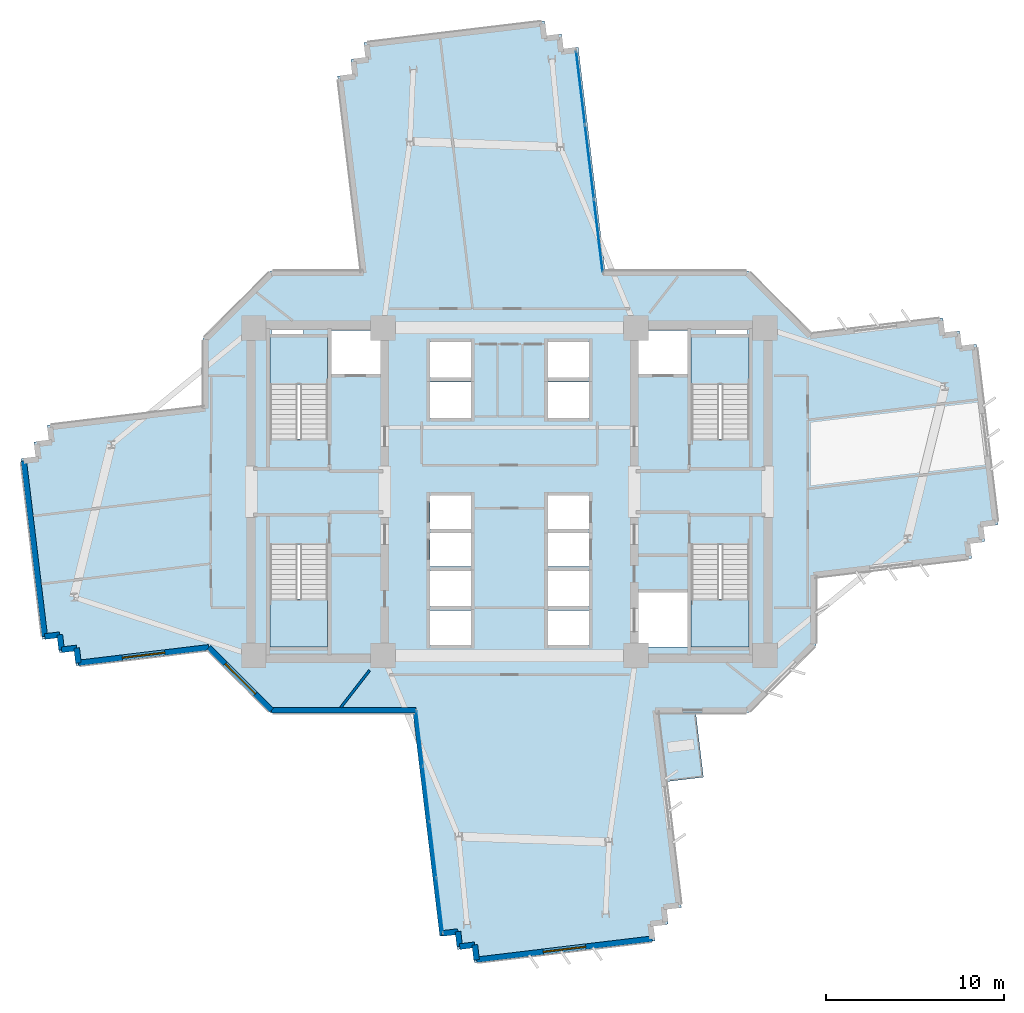
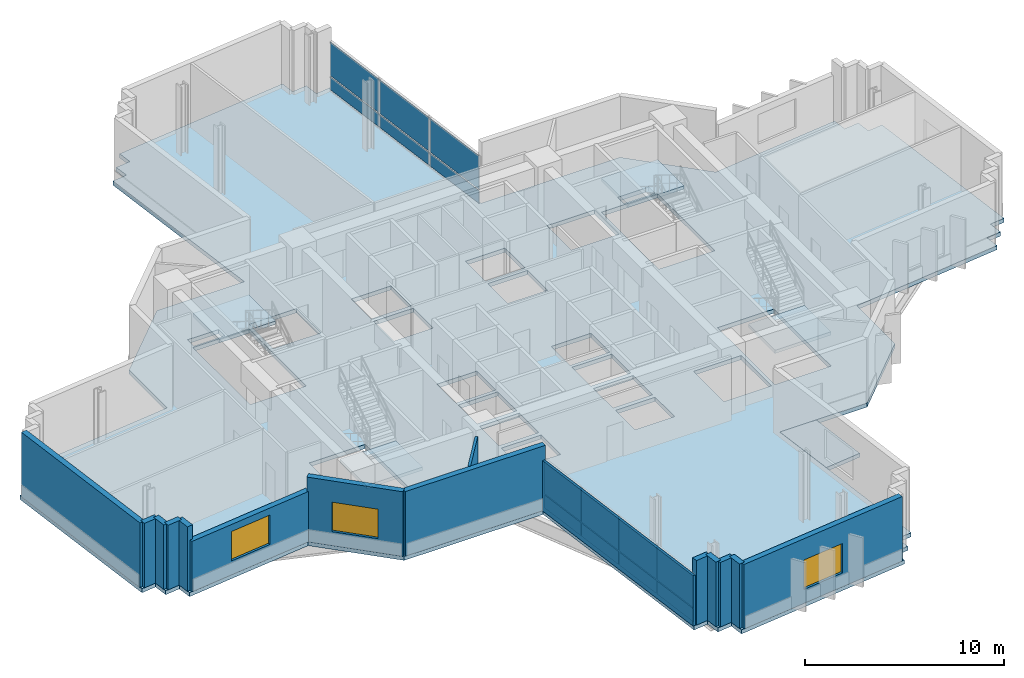
# One storey, part 5 of 15: 15 walls, 14 plates, 6 slabs, 3 windows, 3 openings, 6 elements without a shape of their own.
"""IFC4 building model written with IfcOpenShell, lengths in metres."""

from ifc_helpers import new_model, si_unit, direction, frame, frame_2d, origin, origin_2d, place, context, subcontext, project, spatial, polyline, rectangle, outline, extrude, source, transform, mapped, material, layer, layer_set, type_object, element, fill, aggregate, save


model = new_model("IFC4")

# Units and contexts
model_context = context("Model", 3, precision=1e-05, world=origin(), true_north=direction((0.0, 1.0)))
body_context = subcontext(model_context, "Body", "Model", "MODEL_VIEW")
ifc_project = project(units=[si_unit("LENGTHUNIT", "METRE"), si_unit("AREAUNIT", "SQUARE_METRE"), si_unit("VOLUMEUNIT", "CUBIC_METRE"), si_unit("PLANEANGLEUNIT", "RADIAN"), si_unit("MASSUNIT", "GRAM", prefix="KILO")], contexts=[model_context])

# Site, building, storey
site_placement = place(None, origin())
site = spatial("IfcSite", under=ifc_project, at=site_placement, CompositionType="ELEMENT")
building_placement = place(site_placement, origin())
building = spatial("IfcBuilding", under=site, at=building_placement, Name="Zahravan Cultural Tower", CompositionType="ELEMENT")
storey_placement = place(building_placement, frame((0.0, 0.0, 113.10009765625)))
storey = spatial("IfcBuildingStorey", under=building, at=storey_placement, Name="L25", CompositionType="ELEMENT", Elevation=113.10009765625)

# Stair, slab
ifc_material_1 = material(Name="Concrete C45/55", Category="concrete")
stair_type = type_object("IfcStairType", Name="STR-DL-1550-420", PredefinedType="HALF_TURN_STAIR", material=ifc_material_1)
stair_1_placement = place(storey_placement, origin())
stair_1 = element("IfcStair", 1, at=stair_1_placement, inside=storey, type_object=stair_type, Name="L25 West Core North Exit Stair ST-W1", PredefinedType="HALF_TURN_STAIR")
ifc_layer_1 = layer(ifc_material_1, 0.199951171875)
ifc_layer_set_1 = layer_set([ifc_layer_1], Name="Concrete C45/55")
slab_type_1 = type_object("IfcSlabType", Name="SL-STAIR-LND200", PredefinedType="LANDING", material=ifc_layer_set_1)
slab_1_placement = place(storey_placement, frame((0.0, 0.0, 1.89990234375)))
slab_1 = element("IfcSlab", 2, at=slab_1_placement, type_object=slab_type_1, Name="ST-W1 landing 1", PredefinedType="LANDING", context=body_context, shape_type="SweptSolid", body=[
    extrude(outline(polyline([(25.800048828125, 33.030029296875), (25.800048828125, 35.699951171875), (22.550048828125, 35.699951171875), (22.550048828125, 33.030029296875), (25.800048828125, 33.030029296875)])), origin(), (0.0, 0.0, 1.0), 0.199951171875),
])
aggregate(stair_1, [slab_1])

stair_2_placement = place(storey_placement, origin())
stair_2 = element("IfcStair", 3, at=stair_2_placement, inside=storey, type_object=stair_type, Name="L25 West Core South Exit Stair ST-W2", PredefinedType="HALF_TURN_STAIR")
slab_2_placement = place(storey_placement, frame((0.0, 0.0, 1.89990234375)))
slab_2 = element("IfcSlab", 4, at=slab_2_placement, type_object=slab_type_1, Name="ST-W2 landing 1", PredefinedType="LANDING", context=body_context, shape_type="SweptSolid", body=[
    extrude(outline(polyline([(22.550048828125, 20.969970703125), (22.550048828125, 18.300048828125), (25.800048828125, 18.300048828125), (25.800048828125, 20.969970703125), (22.550048828125, 20.969970703125)])), origin(), (0.0, 0.0, 1.0), 0.199951171875),
])
aggregate(stair_2, [slab_2])

stair_3_placement = place(storey_placement, origin())
stair_3 = element("IfcStair", 5, at=stair_3_placement, inside=storey, type_object=stair_type, Name="L25 East Core North Exit Stair ST-E1", PredefinedType="HALF_TURN_STAIR")
slab_3_placement = place(storey_placement, frame((0.0, 0.0, 1.89990234375)))
slab_3 = element("IfcSlab", 6, at=slab_3_placement, type_object=slab_type_1, Name="ST-E1 landing 1", PredefinedType="LANDING", context=body_context, shape_type="SweptSolid", body=[
    extrude(outline(polyline([(49.449951171875, 33.030029296875), (49.449951171875, 35.699951171875), (46.199951171875, 35.699951171875), (46.199951171875, 33.030029296875), (49.449951171875, 33.030029296875)])), origin(), (0.0, 0.0, 1.0), 0.199951171875),
])
aggregate(stair_3, [slab_3])

stair_4_placement = place(storey_placement, origin())
stair_4 = element("IfcStair", 7, at=stair_4_placement, inside=storey, type_object=stair_type, Name="L25 East Core South Exit Stair ST-E2", PredefinedType="HALF_TURN_STAIR")
slab_4_placement = place(storey_placement, frame((0.0, 0.0, 1.89990234375)))
slab_4 = element("IfcSlab", 8, at=slab_4_placement, type_object=slab_type_1, Name="ST-E2 landing 1", PredefinedType="LANDING", context=body_context, shape_type="SweptSolid", body=[
    extrude(outline(polyline([(46.199951171875, 20.969970703125), (46.199951171875, 18.300048828125), (49.449951171875, 18.300048828125), (49.449951171875, 20.969970703125), (46.199951171875, 20.969970703125)])), origin(), (0.0, 0.0, 1.0), 0.199951171875),
])
aggregate(stair_4, [slab_4])

# Slabs
ifc_material_2 = material(Name="Concrete C40/50", Category="concrete")
ifc_layer_2 = layer(ifc_material_2, 0.239990234375)
ifc_layer_set_2 = layer_set([ifc_layer_2], Name="Concrete C40/50")
slab_type_2 = type_object("IfcSlabType", Name="SL-TERR-240", PredefinedType="FLOOR", material=ifc_layer_set_2)
slab_5_placement = place(storey_placement, frame((0.0, 0.0, -0.239990234375)))
element("IfcSlab", 9, at=slab_5_placement, inside=storey, type_object=slab_type_2, Name="L25 Planted Sculpture Terrace SE", PredefinedType="FLOOR", context=body_context, shape_type="SweptSolid", body=[
    extrude(outline(polyline([(46.885009765625, 10.982421875), (46.451904296875, 14.594970703125), (44.341796875, 14.594970703125), (44.80517578125, 10.73291015625), (46.885009765625, 10.982421875)])), origin(), (0.0, 0.0, 1.0), 0.239990234375),
])
ifc_layer_3 = layer(ifc_material_2, 0.25)
ifc_layer_set_3 = layer_set([ifc_layer_3], Name="Concrete C40/50")
slab_type_3 = type_object("IfcSlabType", Name="SL-TYP-250", PredefinedType="FLOOR", material=ifc_layer_set_3)
slab_6_placement = place(storey_placement, frame((0.0, 0.0, -0.25)))
element("IfcSlab", 10, at=slab_6_placement, inside=storey, type_object=slab_type_3, Name="L25 Structural Floor Slab", PredefinedType="FLOOR", context=body_context, shape_type="SweptSolid", body=[
    extrude(outline(polyline([(52.92138671875, 35.87841796875), (49.39990234375, 39.39990234375), (41.361328125, 39.39990234375), (39.857421875, 51.93701171875), (39.013671875, 51.835693359375), (38.912353515625, 52.6796875), (38.068359375, 52.578369140625), (37.96728515625, 53.42236328125), (27.83984375, 52.20751953125), (27.94091796875, 51.363525390625), (27.09716796875, 51.262451171875), (27.1982421875, 50.41845703125), (26.354248046875, 50.317138671875), (27.663818359375, 39.39990234375), (22.60009765625, 39.39990234375), (18.800048828125, 35.60009765625), (18.800048828125, 31.78564453125), (10.0703125, 30.73828125), (10.17138671875, 29.89453125), (9.327392578125, 29.793212890625), (9.4287109375, 28.94921875), (8.584716796875, 28.84814453125), (9.799560546875, 18.720703125), (10.6435546875, 18.822021484375), (10.74462890625, 17.97802734375), (11.588623046875, 18.0791015625), (11.68994140625, 17.235107421875), (19.07861328125, 18.12158203125), (22.60009765625, 14.60009765625), (30.638671875, 14.60009765625), (32.142578125, 2.06298828125), (32.986328125, 2.164306640625), (33.087646484375, 1.3203125), (33.931640625, 1.421630859375), (34.03271484375, 0.57763671875), (44.16015625, 1.79248046875), (44.05908203125, 2.636474609375), (44.90283203125, 2.737548828125), (44.8017578125, 3.58154296875), (45.645751953125, 3.682861328125), (44.336181640625, 14.60009765625), (49.39990234375, 14.60009765625), (53.199951171875, 18.39990234375), (53.199951171875, 22.21435546875), (61.9296875, 23.26171875), (61.82861328125, 24.10546875), (62.672607421875, 24.206787109375), (62.5712890625, 25.05078125), (63.415283203125, 25.15185546875), (62.200439453125, 35.279296875), (61.3564453125, 35.177978515625), (61.25537109375, 36.02197265625), (60.411376953125, 35.9208984375), (60.31005859375, 36.764892578125), (52.92138671875, 35.87841796875)]), holes=[polyline([(22.550048828125, 29.949951171875), (22.550048828125, 35.699951171875), (25.800048828125, 35.699951171875), (25.800048828125, 29.949951171875), (22.550048828125, 29.949951171875)]), polyline([(22.550048828125, 18.300048828125), (22.550048828125, 24.050048828125), (25.800048828125, 24.050048828125), (25.800048828125, 18.300048828125), (22.550048828125, 18.300048828125)]), polyline([(46.199951171875, 29.949951171875), (46.199951171875, 35.699951171875), (49.449951171875, 35.699951171875), (49.449951171875, 29.949951171875), (46.199951171875, 29.949951171875)]), polyline([(46.199951171875, 18.300048828125), (46.199951171875, 24.050048828125), (49.449951171875, 24.050048828125), (49.449951171875, 18.300048828125), (46.199951171875, 18.300048828125)]), polyline([(26.0, 33.60009765625), (26.0, 36.050048828125), (28.75, 36.050048828125), (28.75, 33.60009765625), (26.0, 33.60009765625)]), polyline([(43.25, 33.60009765625), (43.25, 36.050048828125), (46.0, 36.050048828125), (46.0, 33.60009765625), (43.25, 33.60009765625)]), polyline([(43.25, 18.300048828125), (43.25, 21.35009765625), (46.0, 21.35009765625), (46.0, 18.300048828125), (43.25, 18.300048828125)]), polyline([(31.550048828125, 33.39990234375), (31.550048828125, 35.39990234375), (33.85009765625, 35.39990234375), (33.85009765625, 33.39990234375), (31.550048828125, 33.39990234375)]), polyline([(31.550048828125, 31.14990234375), (31.550048828125, 33.14990234375), (33.85009765625, 33.14990234375), (33.85009765625, 31.14990234375), (31.550048828125, 31.14990234375)]), polyline([(38.14990234375, 33.39990234375), (38.14990234375, 35.39990234375), (40.449951171875, 35.39990234375), (40.449951171875, 33.39990234375), (38.14990234375, 33.39990234375)]), polyline([(38.14990234375, 31.14990234375), (38.14990234375, 33.14990234375), (40.449951171875, 33.14990234375), (40.449951171875, 31.14990234375), (38.14990234375, 31.14990234375)]), polyline([(31.550048828125, 20.60009765625), (31.550048828125, 22.550048828125), (33.85009765625, 22.550048828125), (33.85009765625, 20.60009765625), (31.550048828125, 20.60009765625)]), polyline([(31.550048828125, 18.39990234375), (31.550048828125, 20.35009765625), (33.85009765625, 20.35009765625), (33.85009765625, 18.39990234375), (31.550048828125, 18.39990234375)]), polyline([(38.14990234375, 20.60009765625), (38.14990234375, 22.550048828125), (40.449951171875, 22.550048828125), (40.449951171875, 20.60009765625), (38.14990234375, 20.60009765625)]), polyline([(38.14990234375, 18.39990234375), (38.14990234375, 20.35009765625), (40.449951171875, 20.35009765625), (40.449951171875, 18.39990234375), (38.14990234375, 18.39990234375)]), polyline([(31.550048828125, 24.89990234375), (31.550048828125, 26.800048828125), (33.85009765625, 26.800048828125), (33.85009765625, 24.89990234375), (31.550048828125, 24.89990234375)]), polyline([(31.550048828125, 22.800048828125), (31.550048828125, 24.699951171875), (33.85009765625, 24.699951171875), (33.85009765625, 22.800048828125), (31.550048828125, 22.800048828125)]), polyline([(38.14990234375, 24.89990234375), (38.14990234375, 26.800048828125), (40.449951171875, 26.800048828125), (40.449951171875, 24.89990234375), (38.14990234375, 24.89990234375)]), polyline([(38.14990234375, 22.800048828125), (38.14990234375, 24.699951171875), (40.449951171875, 24.699951171875), (40.449951171875, 22.800048828125), (38.14990234375, 22.800048828125)]), polyline([(22.64990234375, 35.800048828125), (22.64990234375, 36.419921875), (24.449951171875, 36.419921875), (24.449951171875, 35.800048828125), (22.64990234375, 35.800048828125)]), polyline([(47.550048828125, 35.800048828125), (47.550048828125, 36.419921875), (49.35009765625, 36.419921875), (49.35009765625, 35.800048828125), (47.550048828125, 35.800048828125)])]), origin(), (0.0, 0.0, 1.0), 0.25),
])

# Curtain wall, plates
ifc_material_3 = material(Name="Anodised bronze-aluminium mullion", Category="aluminium")
ifc_layer_4 = layer(ifc_material_3, 0.1650390625)
ifc_layer_set_4 = layer_set([ifc_layer_4], Name="Anodised bronze-aluminium mullion")
curtain_wall_type_1 = type_object("IfcCurtainWallType", Name="CW-SYS-4", PredefinedType="USERDEFINED", material=ifc_layer_set_4)
curtain_wall_1_placement = place(storey_placement, origin())
curtain_wall_1 = element("IfcCurtainWall", 11, at=curtain_wall_1_placement, inside=storey, type_object=curtain_wall_type_1, Name="L25 Recessed Curtain Wall CW-4.1", ObjectType="RECESSED GLAZING", PredefinedType="USERDEFINED")
ifc_material_4 = material(Name="Low-E solar-control double glazing", Category="glass")
ifc_layer_5 = layer(ifc_material_4, 0.02587890625)
ifc_layer_set_5 = layer_set([ifc_layer_5], Name="Low-E solar-control double glazing")
plate_type_1 = type_object("IfcPlateType", Name="CWP-CW-4", PredefinedType="CURTAIN_PANEL", material=ifc_layer_set_5)
shared_shape_1 = source(origin(), body_context, "Body", "SweptSolid", [
    extrude(rectangle(XDim=3.05517578125, YDim=0.02587890625, at=origin_2d()), origin(), (0.0, 0.0, 1.0), 0.802490234375),
])
plate_1_placement = place(storey_placement, frame((32.0751953125, 3.800048828125, 0.06494140625), z_axis=(0.0, 0.0, 1.0), x_axis=(-0.11909487867, 0.992882878226, 0.0)))
plate_1 = element("IfcPlate", 12, at=plate_1_placement, type_object=plate_type_1, Name="CW-4 panel 1.1", PredefinedType="CURTAIN_PANEL", context=body_context, shape_type="MappedRepresentation", body=[
    mapped(shared_shape_1, transform((0.0, 0.0, 0.0), x_axis=(1.0, 0.0, 0.0), y_axis=(0.0, 1.0, 0.0), z_axis=(0.0, 0.0, 1.0), scale=1.0)),
])
plate_2_placement = place(storey_placement, frame((30.95263671875, 13.15869140625, 0.06494140625), z_axis=(0.0, 0.0, 1.0), x_axis=(-0.11909487867, 0.992882878226, 0.0)))
plate_2 = element("IfcPlate", 13, at=plate_2_placement, type_object=plate_type_1, Name="CW-4 panel 4.1", PredefinedType="CURTAIN_PANEL", context=body_context, shape_type="MappedRepresentation", body=[
    mapped(shared_shape_1, transform((0.0, 0.0, 0.0), x_axis=(1.0, 0.0, 0.0), y_axis=(0.0, 1.0, 0.0), z_axis=(0.0, 0.0, 1.0), scale=1.0)),
])
shared_shape_2 = source(origin(), body_context, "Body", "SweptSolid", [
    extrude(rectangle(XDim=3.05517578125, YDim=0.02587890625, at=origin_2d()), origin(), (0.0, 0.0, 1.0), 2.072509765625),
])
plate_3_placement = place(storey_placement, frame((32.0751953125, 3.800048828125, 0.9326171875), z_axis=(0.0, 0.0, 1.0), x_axis=(-0.11909487867, 0.992882878226, 0.0)))
plate_3 = element("IfcPlate", 14, at=plate_3_placement, type_object=plate_type_1, Name="CW-4 panel 1.2", PredefinedType="CURTAIN_PANEL", context=body_context, shape_type="MappedRepresentation", body=[
    mapped(shared_shape_2, transform((0.0, 0.0, 0.0), x_axis=(1.0, 0.0, 0.0), y_axis=(0.0, 1.0, 0.0), z_axis=(0.0, 0.0, 1.0), scale=1.0)),
])
plate_4_placement = place(storey_placement, frame((30.95263671875, 13.15869140625, 0.9326171875), z_axis=(0.0, 0.0, 1.0), x_axis=(-0.11909487867, 0.992882878226, 0.0)))
plate_4 = element("IfcPlate", 15, at=plate_4_placement, type_object=plate_type_1, Name="CW-4 panel 4.2", PredefinedType="CURTAIN_PANEL", context=body_context, shape_type="MappedRepresentation", body=[
    mapped(shared_shape_2, transform((0.0, 0.0, 0.0), x_axis=(1.0, 0.0, 0.0), y_axis=(0.0, 1.0, 0.0), z_axis=(0.0, 0.0, 1.0), scale=1.0)),
])
shared_shape_3 = source(origin(), body_context, "Body", "SweptSolid", [
    extrude(rectangle(XDim=3.087646484375, YDim=0.02587890625, at=origin_2d()), origin(), (0.0, 0.0, 1.0), 0.802490234375),
])
plate_5_placement = place(storey_placement, frame((31.70166015625, 6.914306640625, 0.06494140625), z_axis=(0.0, 0.0, 1.0), x_axis=(-0.11909487867, 0.992882878226, 0.0)))
plate_5 = element("IfcPlate", 16, at=plate_5_placement, type_object=plate_type_1, Name="CW-4 panel 2.1", PredefinedType="CURTAIN_PANEL", context=body_context, shape_type="MappedRepresentation", body=[
    mapped(shared_shape_3, transform((0.0, 0.0, 0.0), x_axis=(1.0, 0.0, 0.0), y_axis=(0.0, 1.0, 0.0), z_axis=(0.0, 0.0, 1.0), scale=1.0)),
])
plate_6_placement = place(storey_placement, frame((31.326171875, 10.04443359375, 0.06494140625), z_axis=(0.0, 0.0, 1.0), x_axis=(-0.11909487867, 0.992882878226, 0.0)))
plate_6 = element("IfcPlate", 17, at=plate_6_placement, type_object=plate_type_1, Name="CW-4 panel 3.1", PredefinedType="CURTAIN_PANEL", context=body_context, shape_type="MappedRepresentation", body=[
    mapped(shared_shape_3, transform((0.0, 0.0, 0.0), x_axis=(1.0, 0.0, 0.0), y_axis=(0.0, 1.0, 0.0), z_axis=(0.0, 0.0, 1.0), scale=1.0)),
])
shared_shape_4 = source(origin(), body_context, "Body", "SweptSolid", [
    extrude(rectangle(XDim=3.087646484375, YDim=0.02587890625, at=origin_2d()), origin(), (0.0, 0.0, 1.0), 2.072509765625),
])
plate_7_placement = place(storey_placement, frame((31.70166015625, 6.914306640625, 0.9326171875), z_axis=(0.0, 0.0, 1.0), x_axis=(-0.11909487867, 0.992882878226, 0.0)))
plate_7 = element("IfcPlate", 18, at=plate_7_placement, type_object=plate_type_1, Name="CW-4 panel 2.2", PredefinedType="CURTAIN_PANEL", context=body_context, shape_type="MappedRepresentation", body=[
    mapped(shared_shape_4, transform((0.0, 0.0, 0.0), x_axis=(1.0, 0.0, 0.0), y_axis=(0.0, 1.0, 0.0), z_axis=(0.0, 0.0, 1.0), scale=1.0)),
])
plate_8_placement = place(storey_placement, frame((31.326171875, 10.04443359375, 0.9326171875), z_axis=(0.0, 0.0, 1.0), x_axis=(-0.11909487867, 0.992882878226, 0.0)))
plate_8 = element("IfcPlate", 19, at=plate_8_placement, type_object=plate_type_1, Name="CW-4 panel 3.2", PredefinedType="CURTAIN_PANEL", context=body_context, shape_type="MappedRepresentation", body=[
    mapped(shared_shape_4, transform((0.0, 0.0, 0.0), x_axis=(1.0, 0.0, 0.0), y_axis=(0.0, 1.0, 0.0), z_axis=(0.0, 0.0, 1.0), scale=1.0)),
])
aggregate(curtain_wall_1, [plate_1, plate_3, plate_5, plate_7, plate_6, plate_8, plate_2, plate_4])

ifc_layer_6 = layer(ifc_material_3, 0.219970703125)
ifc_layer_set_6 = layer_set([ifc_layer_6], Name="Anodised bronze-aluminium mullion")
curtain_wall_type_2 = type_object("IfcCurtainWallType", Name="CW-SYS-1", PredefinedType="USERDEFINED", material=ifc_layer_set_6)
curtain_wall_2_placement = place(storey_placement, origin())
curtain_wall_2 = element("IfcCurtainWall", 20, at=curtain_wall_2_placement, inside=storey, type_object=curtain_wall_type_2, Name="L25 Recessed Curtain Wall CW-1.2", ObjectType="RECESSED GLAZING", PredefinedType="USERDEFINED")
ifc_layer_7 = layer(ifc_material_4, 0.031982421875)
ifc_layer_set_7 = layer_set([ifc_layer_7], Name="Low-E solar-control double glazing")
plate_type_2 = type_object("IfcPlateType", Name="CWP-CW-1", PredefinedType="CURTAIN_PANEL", material=ifc_layer_set_7)
shared_shape_5 = source(origin(), body_context, "Body", "SweptSolid", [
    extrude(rectangle(XDim=4.083740234375, YDim=0.031982421875, at=origin_2d()), origin(), (0.0, 0.0, 1.0), 0.780029296875),
])
plate_9_placement = place(storey_placement, frame((39.98779296875, 49.674560546875, 0.080078125), z_axis=(0.0, 0.0, 1.0), x_axis=(0.11909487867, -0.992882878226, 0.0)))
plate_9 = element("IfcPlate", 21, at=plate_9_placement, type_object=plate_type_2, Name="CW-1 panel 1.1", PredefinedType="CURTAIN_PANEL", context=body_context, shape_type="MappedRepresentation", body=[
    mapped(shared_shape_5, transform((0.0, 0.0, 0.0), x_axis=(1.0, 0.0, 0.0), y_axis=(0.0, 1.0, 0.0), z_axis=(0.0, 0.0, 1.0), scale=1.0)),
])
plate_10_placement = place(storey_placement, frame((40.984375, 41.36669921875, 0.080078125), z_axis=(0.0, 0.0, 1.0), x_axis=(0.11909487867, -0.992882878226, 0.0)))
plate_10 = element("IfcPlate", 22, at=plate_10_placement, type_object=plate_type_2, Name="CW-1 panel 3.1", PredefinedType="CURTAIN_PANEL", context=body_context, shape_type="MappedRepresentation", body=[
    mapped(shared_shape_5, transform((0.0, 0.0, 0.0), x_axis=(1.0, 0.0, 0.0), y_axis=(0.0, 1.0, 0.0), z_axis=(0.0, 0.0, 1.0), scale=1.0)),
])
shared_shape_6 = source(origin(), body_context, "Body", "SweptSolid", [
    extrude(rectangle(XDim=4.083740234375, YDim=0.031982421875, at=origin_2d()), origin(), (0.0, 0.0, 1.0), 2.050048828125),
])
plate_11_placement = place(storey_placement, frame((39.98779296875, 49.674560546875, 0.93994140625), z_axis=(0.0, 0.0, 1.0), x_axis=(0.11909487867, -0.992882878226, 0.0)))
plate_11 = element("IfcPlate", 23, at=plate_11_placement, type_object=plate_type_2, Name="CW-1 panel 1.2", PredefinedType="CURTAIN_PANEL", context=body_context, shape_type="MappedRepresentation", body=[
    mapped(shared_shape_6, transform((0.0, 0.0, 0.0), x_axis=(1.0, 0.0, 0.0), y_axis=(0.0, 1.0, 0.0), z_axis=(0.0, 0.0, 1.0), scale=1.0)),
])
plate_12_placement = place(storey_placement, frame((40.984375, 41.36669921875, 0.93994140625), z_axis=(0.0, 0.0, 1.0), x_axis=(0.11909487867, -0.992882878226, 0.0)))
plate_12 = element("IfcPlate", 24, at=plate_12_placement, type_object=plate_type_2, Name="CW-1 panel 3.2", PredefinedType="CURTAIN_PANEL", context=body_context, shape_type="MappedRepresentation", body=[
    mapped(shared_shape_6, transform((0.0, 0.0, 0.0), x_axis=(1.0, 0.0, 0.0), y_axis=(0.0, 1.0, 0.0), z_axis=(0.0, 0.0, 1.0), scale=1.0)),
])
shared_shape_7 = source(origin(), body_context, "Body", "SweptSolid", [
    extrude(rectangle(XDim=4.12353515625, YDim=0.031982421875, at=origin_2d()), origin(), (0.0, 0.0, 1.0), 0.780029296875),
])
plate_13_placement = place(storey_placement, frame((40.486083984375, 45.5205078125, 0.080078125), z_axis=(0.0, 0.0, 1.0), x_axis=(0.11909487867, -0.992882878226, 0.0)))
plate_13 = element("IfcPlate", 25, at=plate_13_placement, type_object=plate_type_2, Name="CW-1 panel 2.1", PredefinedType="CURTAIN_PANEL", context=body_context, shape_type="MappedRepresentation", body=[
    mapped(shared_shape_7, transform((0.0, 0.0, 0.0), x_axis=(1.0, 0.0, 0.0), y_axis=(0.0, 1.0, 0.0), z_axis=(0.0, 0.0, 1.0), scale=1.0)),
])
shared_shape_8 = source(origin(), body_context, "Body", "SweptSolid", [
    extrude(rectangle(XDim=4.12353515625, YDim=0.031982421875, at=origin_2d()), origin(), (0.0, 0.0, 1.0), 2.050048828125),
])
plate_14_placement = place(storey_placement, frame((40.486083984375, 45.5205078125, 0.93994140625), z_axis=(0.0, 0.0, 1.0), x_axis=(0.11909487867, -0.992882878226, 0.0)))
plate_14 = element("IfcPlate", 26, at=plate_14_placement, type_object=plate_type_2, Name="CW-1 panel 2.2", PredefinedType="CURTAIN_PANEL", context=body_context, shape_type="MappedRepresentation", body=[
    mapped(shared_shape_8, transform((0.0, 0.0, 0.0), x_axis=(1.0, 0.0, 0.0), y_axis=(0.0, 1.0, 0.0), z_axis=(0.0, 0.0, 1.0), scale=1.0)),
])
aggregate(curtain_wall_2, [plate_9, plate_11, plate_13, plate_14, plate_10, plate_12])

# Wall, opening, window
ifc_material_5 = material(Name="Precast concrete C40/50", Category="concrete")
ifc_layer_8 = layer(ifc_material_5, 0.320068359375)
ifc_layer_set_8 = layer_set([ifc_layer_8], Name="Precast concrete C40/50")
wall_type_1 = type_object("IfcWallType", Name="EW-TC-320", PredefinedType="SOLIDWALL", material=ifc_layer_set_8)
wall_1_placement = place(storey_placement, frame((44.00439453125, 1.914794921875, 0.0), z_axis=(0.0, 0.0, 1.0), x_axis=(-0.992883125729, -0.119092815244, 0.0)))
wall_1 = element("IfcWall", 27, at=wall_1_placement, inside=storey, type_object=wall_type_1, Name="L25 Exterior Masonry Frame Wall 20", PredefinedType="SOLIDWALL", context=body_context, shape_type="SweptSolid", body=[
    extrude(rectangle(XDim=9.919921875, YDim=0.320068359375, at=frame_2d((4.9599609375, 0.0))), origin(), (0.0, 0.0, 1.0), 3.949951171875),
])
opening_1_placement = place(wall_1_placement, frame((3.760009765625, 0.0, 0.85009765625)))
opening_1 = element("IfcOpeningElement", 28, at=opening_1_placement, cuts=wall_1, Name="Opening WN-01", PredefinedType="OPENING", context=body_context, shape_type="SweptSolid", body=[
    extrude(rectangle(XDim=2.39990234375, YDim=1.800048828125, at=frame_2d((1.199951171875, 0.89990234375))), frame((0.0, 0.169921875, 0.0), z_axis=(0.0, -1.0, 0.0), x_axis=(1.0, 0.0, 0.0)), (0.0, 0.0, 1.0), 0.340087890625),
])
window_type = type_object("IfcWindowType", Name="WN-REC-2400X1800", PartitioningType="DOUBLE_PANEL_VERTICAL", PredefinedType="WINDOW", material=ifc_material_4)
shared_shape_9 = source(origin(), body_context, "Body", "SweptSolid", [
    extrude(rectangle(XDim=2.39990234375, YDim=1.800048828125, at=frame_2d((1.199951171875, 0.89990234375))), frame((0.0, 0.030029296875, 0.0), z_axis=(0.0, -1.0, 0.0), x_axis=(1.0, 0.0, 0.0)), (0.0, 0.0, 1.0), 0.06005859375),
])
window_1_placement = place(opening_1_placement, origin())
window_1 = element("IfcWindow", 29, at=window_1_placement, inside=storey, type_object=window_type, Name="L25 Recessed Solar Window 06", OverallHeight=1.800048828125, OverallWidth=2.39990234375, PartitioningType="DOUBLE_PANEL_VERTICAL", PredefinedType="WINDOW", context=body_context, shape_type="MappedRepresentation", body=[
    mapped(shared_shape_9, transform((0.0, 0.0, 0.0), x_axis=(1.0, 0.0, 0.0), y_axis=(0.0, 1.0, 0.0), z_axis=(0.0, 0.0, 1.0), scale=1.0)),
])
fill(opening_1, window_1)

wall_2_placement = place(storey_placement, frame((22.657958984375, 14.739990234375, 0.0), z_axis=(0.0, 0.0, 1.0), x_axis=(-0.707106781187, 0.707106781187, 0.0)))
wall_2 = element("IfcWall", 30, at=wall_2_placement, inside=storey, type_object=wall_type_1, Name="L25 Exterior Masonry Frame Wall 26", PredefinedType="SOLIDWALL", context=body_context, shape_type="SweptSolid", body=[
    extrude(rectangle(XDim=4.990234375, YDim=0.320068359375, at=frame_2d((2.4951171875, 0.0))), origin(), (0.0, 0.0, 1.0), 3.949951171875),
])
opening_2_placement = place(wall_2_placement, frame((1.294921875, 0.0, 0.85009765625)))
opening_2 = element("IfcOpeningElement", 31, at=opening_2_placement, cuts=wall_2, Name="Opening WN-01", PredefinedType="OPENING", context=body_context, shape_type="SweptSolid", body=[
    extrude(rectangle(XDim=2.39990234375, YDim=1.800048828125, at=frame_2d((1.199951171875, 0.89990234375))), frame((0.0, 0.169921875, 0.0), z_axis=(0.0, -1.0, 0.0), x_axis=(1.0, 0.0, 0.0)), (0.0, 0.0, 1.0), 0.340087890625),
])
window_2_placement = place(opening_2_placement, origin())
window_2 = element("IfcWindow", 32, at=window_2_placement, inside=storey, type_object=window_type, Name="L25 Recessed Solar Window 07", OverallHeight=1.800048828125, OverallWidth=2.39990234375, PartitioningType="DOUBLE_PANEL_VERTICAL", PredefinedType="WINDOW", context=body_context, shape_type="MappedRepresentation", body=[
    mapped(shared_shape_9, transform((0.0, 0.0, 0.0), x_axis=(1.0, 0.0, 0.0), y_axis=(0.0, 1.0, 0.0), z_axis=(0.0, 0.0, 1.0), scale=1.0)),
])
fill(opening_2, window_2)

wall_3_placement = place(storey_placement, frame((19.12939453125, 18.2685546875, 0.0), z_axis=(0.0, 0.0, 1.0), x_axis=(-0.992882794037, -0.119095580547, 0.0)))
wall_3 = element("IfcWall", 33, at=wall_3_placement, inside=storey, type_object=wall_type_1, Name="L25 Exterior Masonry Frame Wall 27", PredefinedType="SOLIDWALL", context=body_context, shape_type="SweptSolid", body=[
    extrude(rectangle(XDim=7.36962890625, YDim=0.320068359375, at=frame_2d((3.684814453125, 0.0))), origin(), (0.0, 0.0, 1.0), 3.079833984375),
])
opening_3_placement = place(wall_3_placement, frame((2.485107421875, 0.0, 0.85009765625)))
opening_3 = element("IfcOpeningElement", 34, at=opening_3_placement, cuts=wall_3, Name="Opening WN-01", PredefinedType="OPENING", context=body_context, shape_type="SweptSolid", body=[
    extrude(rectangle(XDim=2.39990234375, YDim=1.800048828125, at=frame_2d((1.199951171875, 0.89990234375))), frame((0.0, 0.169921875, 0.0), z_axis=(0.0, -1.0, 0.0), x_axis=(1.0, 0.0, 0.0)), (0.0, 0.0, 1.0), 0.340087890625),
])
window_3_placement = place(opening_3_placement, origin())
window_3 = element("IfcWindow", 35, at=window_3_placement, inside=storey, type_object=window_type, Name="L25 Recessed Solar Window 08", OverallHeight=1.800048828125, OverallWidth=2.39990234375, PartitioningType="DOUBLE_PANEL_VERTICAL", PredefinedType="WINDOW", context=body_context, shape_type="MappedRepresentation", body=[
    mapped(shared_shape_9, transform((0.0, 0.0, 0.0), x_axis=(1.0, 0.0, 0.0), y_axis=(0.0, 1.0, 0.0), z_axis=(0.0, 0.0, 1.0), scale=1.0)),
])
fill(opening_3, window_3)

# Walls
shared_shape_10 = source(origin(), body_context, "Body", "SweptSolid", [
    extrude(rectangle(XDim=0.849853515625, YDim=0.320068359375, at=frame_2d((0.4248046875, 0.0))), origin(), (0.0, 0.0, 1.0), 3.949951171875),
])
for number, where, z_axis, x_axis, name in (
    (36, (33.108642578125, 2.320068359375, 0.0), (0.0, 0.0, 1.0), (-0.992867319472, -0.119224518976, 0.0), "L25 Exterior Masonry Frame Wall 24"),
    (37, (10.866943359375, 18.1337890625, 0.0), (0.0, 0.0, 1.0), (-0.11894130009, 0.992901287708, 0.0), "L25 Exterior Masonry Frame Wall 30"),
):
    element("IfcWall", number, at=place(storey_placement, frame(where, z_axis=z_axis, x_axis=x_axis)), inside=storey, type_object=wall_type_1, Name=name, PredefinedType="SOLIDWALL", context=body_context, shape_type="MappedRepresentation", body=[
        mapped(shared_shape_10, transform((0.0, 0.0, 0.0), x_axis=(1.0, 0.0, 0.0), y_axis=(0.0, 1.0, 0.0), z_axis=(0.0, 0.0, 1.0), scale=1.0)),
    ])
shared_shape_11 = source(origin(), body_context, "Body", "SweptSolid", [
    extrude(rectangle(XDim=0.85009765625, YDim=0.320068359375, at=frame_2d((0.425048828125, 0.0))), origin(), (0.0, 0.0, 1.0), 3.949951171875),
])
for number, where, z_axis, x_axis, name in (
    (38, (34.155029296875, 0.7333984375, 0.0), (0.0, 0.0, 1.0), (-0.118907380694, 0.992905350382, 0.0), "L25 Exterior Masonry Frame Wall 21"),
    (39, (34.053955078125, 1.577392578125, 0.0), (0.0, 0.0, 1.0), (-0.992871401376, -0.119190521137, 0.0), "L25 Exterior Masonry Frame Wall 22"),
    (40, (33.2099609375, 1.47607421875, 0.0), (0.0, 0.0, 1.0), (-0.119190521137, 0.992871401376, 0.0), "L25 Exterior Masonry Frame Wall 23"),
    (41, (11.812255859375, 17.390869140625, 0.0), (0.0, 0.0, 1.0), (-0.119190521137, 0.992871401376, 0.0), "L25 Exterior Masonry Frame Wall 28"),
    (42, (11.7109375, 18.23486328125, 0.0), (0.0, 0.0, 1.0), (-0.992905350382, -0.118907380694, 0.0), "L25 Exterior Masonry Frame Wall 29"),
    (43, (10.765869140625, 18.9775390625, 0.0), (0.0, 0.0, 1.0), (-0.992905350382, -0.118907380694, 0.0), "L25 Exterior Masonry Frame Wall 31"),
):
    element("IfcWall", number, at=place(storey_placement, frame(where, z_axis=z_axis, x_axis=x_axis)), inside=storey, type_object=wall_type_1, Name=name, PredefinedType="SOLIDWALL", context=body_context, shape_type="MappedRepresentation", body=[
        mapped(shared_shape_11, transform((0.0, 0.0, 0.0), x_axis=(1.0, 0.0, 0.0), y_axis=(0.0, 1.0, 0.0), z_axis=(0.0, 0.0, 1.0), scale=1.0)),
    ])
shared_shape_12 = source(origin(), body_context, "Body", "SweptSolid", [
    extrude(rectangle(XDim=9.919921875, YDim=0.320068359375, at=frame_2d((4.9599609375, 0.0))), origin(), (0.0, 0.0, 1.0), 3.949951171875),
])
wall_4_placement = place(storey_placement, frame((9.921875, 18.87646484375, 0.0), z_axis=(0.0, 0.0, 1.0), x_axis=(-0.119092815244, 0.992883125729, 0.0)))
element("IfcWall", 44, at=wall_4_placement, inside=storey, type_object=wall_type_1, Name="L25 Exterior Masonry Frame Wall 32", PredefinedType="SOLIDWALL", context=body_context, shape_type="MappedRepresentation", body=[
    mapped(shared_shape_12, transform((0.0, 0.0, 0.0), x_axis=(1.0, 0.0, 0.0), y_axis=(0.0, 1.0, 0.0), z_axis=(0.0, 0.0, 1.0), scale=1.0)),
])
shared_shape_13 = source(origin(), body_context, "Body", "SweptSolid", [
    extrude(rectangle(XDim=8.10498046875, YDim=0.320068359375, at=frame_2d((4.052490234375, 0.0))), origin(), (0.0, 0.0, 1.0), 3.949951171875),
])
wall_5_placement = place(storey_placement, frame((30.762939453125, 14.739990234375, 0.0), z_axis=(0.0, 0.0, 1.0), x_axis=(-1.0, 0.0, 0.0)))
element("IfcWall", 45, at=wall_5_placement, inside=storey, type_object=wall_type_1, Name="L25 Exterior Masonry Frame Wall 25", PredefinedType="SOLIDWALL", context=body_context, shape_type="MappedRepresentation", body=[
    mapped(shared_shape_13, transform((0.0, 0.0, 0.0), x_axis=(1.0, 0.0, 0.0), y_axis=(0.0, 1.0, 0.0), z_axis=(0.0, 0.0, 1.0), scale=1.0)),
])
ifc_material_6 = material(Name="Gypsum plasterboard partition")
ifc_layer_9 = layer(ifc_material_6, 0.139892578125)
ifc_layer_set_9 = layer_set([ifc_layer_9], Name="Gypsum plasterboard partition")
wall_type_2 = type_object("IfcWallType", Name="W-PART-140", PredefinedType="PARTITIONING", material=ifc_layer_set_9)
shared_shape_14 = source(origin(), body_context, "Body", "SweptSolid", [
    extrude(rectangle(XDim=2.62939453125, YDim=0.139892578125, at=frame_2d((1.314697265625, 0.0))), origin(), (0.0, 0.0, 1.0), 3.949951171875),
])
wall_6_placement = place(storey_placement, frame((28.15380859375, 16.97998046875, 0.0), z_axis=(0.0, 0.0, 1.0), x_axis=(-0.614210560268, -0.789142184689, 0.0)))
element("IfcWall", 46, at=wall_6_placement, inside=storey, type_object=wall_type_2, Name="L25 Interior Wall 095", PredefinedType="PARTITIONING", context=body_context, shape_type="MappedRepresentation", body=[
    mapped(shared_shape_14, transform((0.0, 0.0, 0.0), x_axis=(1.0, 0.0, 0.0), y_axis=(0.0, 1.0, 0.0), z_axis=(0.0, 0.0, 1.0), scale=1.0)),
])
shared_shape_15 = source(origin(), body_context, "Body", "SweptSolid", [
    extrude(rectangle(XDim=12.579345703125, YDim=0.139892578125, at=frame_2d((6.28955078125, 0.0))), origin(), (0.0, 0.0, 1.0), 3.079833984375),
])
wall_7_placement = place(storey_placement, frame((32.159912109375, 2.08544921875, 0.0), z_axis=(0.0, 0.0, 1.0), x_axis=(-0.119358735645, 0.992851193395, 0.0)))
element("IfcWall", 47, at=wall_7_placement, inside=storey, type_object=wall_type_2, Name="L25 Interior Wall 101", PredefinedType="PARTITIONING", context=body_context, shape_type="MappedRepresentation", body=[
    mapped(shared_shape_15, transform((0.0, 0.0, 0.0), x_axis=(1.0, 0.0, 0.0), y_axis=(0.0, 1.0, 0.0), z_axis=(0.0, 0.0, 1.0), scale=1.0)),
])

save(model, "model.ifc")
